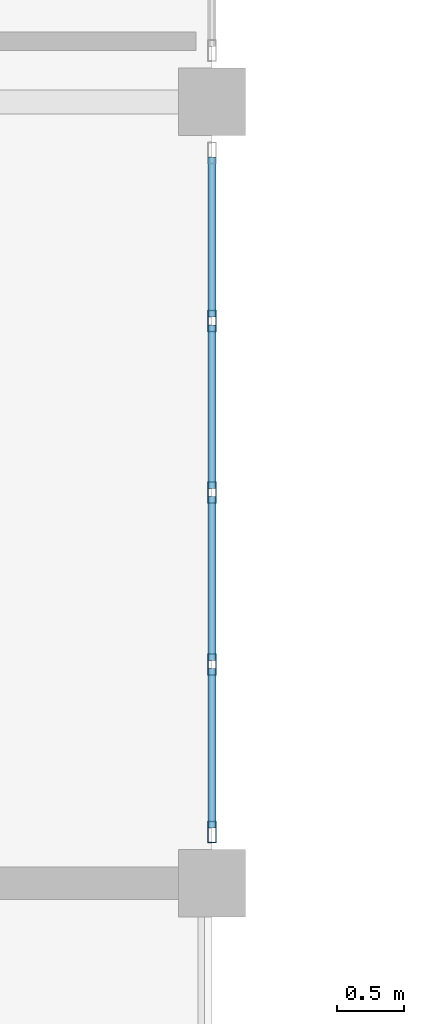
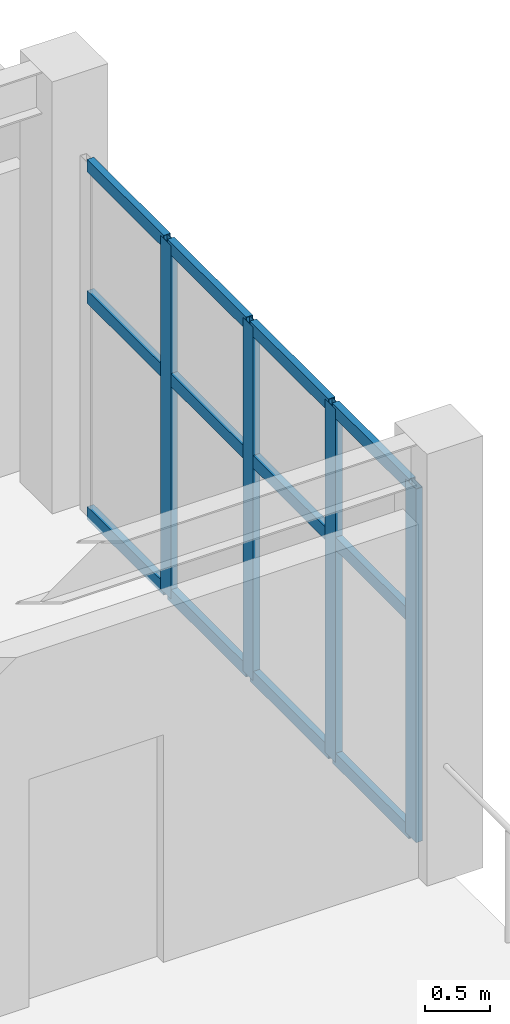
# One storey, part 24 of 128: 16 members, 1 element without a shape of its own.
"""IFC4 building model written with IfcOpenShell, lengths in metres."""

from ifc_helpers import new_model, si_unit, direction, frame, origin, origin_2d, place, context, subcontext, project, spatial, hollow_rectangle, extrude, material, material_profile, profile_set, type_object, element, aggregate, save


model = new_model("IFC4")

# Units and contexts
model_context = context("Model", 3, precision=1e-05, world=origin(), true_north=direction((0.0, 1.0)))
body_context = subcontext(model_context, "Body", "Model", "MODEL_VIEW")
ifc_project = project(units=[si_unit("LENGTHUNIT", "METRE"), si_unit("AREAUNIT", "SQUARE_METRE"), si_unit("VOLUMEUNIT", "CUBIC_METRE"), si_unit("PLANEANGLEUNIT", "RADIAN"), si_unit("MASSUNIT", "GRAM", prefix="KILO")], contexts=[model_context])

# Site, building, storey
site_placement = place(None, origin())
site = spatial("IfcSite", under=ifc_project, at=site_placement, CompositionType="ELEMENT")
building_placement = place(site_placement, origin())
building = spatial("IfcBuilding", under=site, at=building_placement, Name="Tanwirah Colonnade Gardens", CompositionType="ELEMENT")
storey_placement = place(building_placement, frame((0.0, 0.0, 4.760009765625)))
storey = spatial("IfcBuildingStorey", under=building, at=storey_placement, Name="L01", CompositionType="ELEMENT", Elevation=4.760009765625)

# Curtain wall, members
ifc_material_1 = material(Name="Bronze-anodised aluminium and solar-control low-E glass", Category="aluminium")
curtain_wall_type = type_object("IfcCurtainWallType", Name="CW-SHP", PredefinedType="NOTDEFINED", material=ifc_material_1)
curtain_wall_placement = place(storey_placement, origin())
curtain_wall = element("IfcCurtainWall", 1, at=curtain_wall_placement, inside=storey, type_object=curtain_wall_type, Name="Curtain Wall CW-SHP-E-L01-E-1", PredefinedType="NOTDEFINED")
ifc_material_2 = material(Name="Bronze-anodised aluminium", Category="aluminium")
ifc_material_profile_1 = material_profile(ifc_material_2, hollow_rectangle(XDim=0.06005859375, YDim=0.159912109375, WallThickness=0.00390625, at=origin_2d()), Name="CW-MUL 60x160x4")
ifc_profile_set_1 = profile_set([ifc_material_profile_1], Name="Bronze-anodised aluminium")
member_type_1 = type_object("IfcMemberType", Name="CWM-60x160", PredefinedType="MULLION", material=ifc_profile_set_1)
member_1_placement = place(storey_placement, frame((120.0, 16.97998046875, 0.0), z_axis=(0.0, 0.0, 1.0), x_axis=(-1.0, 0.0, 0.0)))
member_1 = element("IfcMember", 2, at=member_1_placement, type_object=member_type_1, Name="CW-SHP mullion 1", PredefinedType="MULLION", context=body_context, shape_type="SweptSolid", body=[
    extrude(hollow_rectangle(XDim=0.06005859375, YDim=0.159912109375, WallThickness=0.00390625, at=origin_2d()), origin(), (0.0, 0.0, 1.0), 3.340087890625),
])
member_2_placement = place(storey_placement, frame((120.0, 18.22509765625, 0.0), z_axis=(0.0, 0.0, 1.0), x_axis=(-1.0, 0.0, 0.0)))
member_2 = element("IfcMember", 3, at=member_2_placement, type_object=member_type_1, Name="CW-SHP mullion 2", PredefinedType="MULLION", context=body_context, shape_type="SweptSolid", body=[
    extrude(hollow_rectangle(XDim=0.06005859375, YDim=0.159912109375, WallThickness=0.00390625, at=origin_2d()), origin(), (0.0, 0.0, 1.0), 3.340087890625),
])
member_3_placement = place(storey_placement, frame((120.0, 19.5, 0.0), z_axis=(0.0, 0.0, 1.0), x_axis=(-1.0, 0.0, 0.0)))
member_3 = element("IfcMember", 4, at=member_3_placement, type_object=member_type_1, Name="CW-SHP mullion 3", PredefinedType="MULLION", context=body_context, shape_type="SweptSolid", body=[
    extrude(hollow_rectangle(XDim=0.06005859375, YDim=0.159912109375, WallThickness=0.00390625, at=origin_2d()), origin(), (0.0, 0.0, 1.0), 3.340087890625),
])
member_4_placement = place(storey_placement, frame((120.0, 20.77490234375, 0.0), z_axis=(0.0, 0.0, 1.0), x_axis=(-1.0, 0.0, 0.0)))
member_4 = element("IfcMember", 5, at=member_4_placement, type_object=member_type_1, Name="CW-SHP mullion 4", PredefinedType="MULLION", context=body_context, shape_type="SweptSolid", body=[
    extrude(hollow_rectangle(XDim=0.06005859375, YDim=0.159912109375, WallThickness=0.00390625, at=origin_2d()), origin(), (0.0, 0.0, 1.0), 3.340087890625),
])
ifc_material_profile_2 = material_profile(ifc_material_2, hollow_rectangle(XDim=0.06005859375, YDim=0.1201171875, WallThickness=0.00390625, at=origin_2d()), Name="CW-TRN 60x120x4")
ifc_profile_set_2 = profile_set([ifc_material_profile_2], Name="Bronze-anodised aluminium")
member_type_2 = type_object("IfcMemberType", Name="CWT-60x120", PredefinedType="USERDEFINED", material=ifc_profile_set_2)
member_5_placement = place(storey_placement, frame((120.0, 17.010009765625, 0.030029296875), z_axis=(0.0, 1.0, 0.0), x_axis=(-1.0, 0.0, 0.0)))
member_5 = element("IfcMember", 6, at=member_5_placement, type_object=member_type_2, Name="CW-SHP transom 1.1", ObjectType="TRANSOM", PredefinedType="USERDEFINED", context=body_context, shape_type="SweptSolid", body=[
    extrude(hollow_rectangle(XDim=0.06005859375, YDim=0.1201171875, WallThickness=0.00390625, at=origin_2d()), origin(), (0.0, 0.0, 1.0), 1.18505859375),
])
member_6_placement = place(storey_placement, frame((120.0, 17.010009765625, 2.07080078125), z_axis=(0.0, 1.0, 0.0), x_axis=(-1.0, 0.0, 0.0)))
member_6 = element("IfcMember", 7, at=member_6_placement, type_object=member_type_2, Name="CW-SHP transom 1.2", ObjectType="TRANSOM", PredefinedType="USERDEFINED", context=body_context, shape_type="SweptSolid", body=[
    extrude(hollow_rectangle(XDim=0.06005859375, YDim=0.1201171875, WallThickness=0.00390625, at=origin_2d()), origin(), (0.0, 0.0, 1.0), 1.18505859375),
])
member_7_placement = place(storey_placement, frame((120.0, 17.010009765625, 3.31005859375), z_axis=(0.0, 1.0, 0.0), x_axis=(-1.0, 0.0, 0.0)))
member_7 = element("IfcMember", 8, at=member_7_placement, type_object=member_type_2, Name="CW-SHP transom 1.3", ObjectType="TRANSOM", PredefinedType="USERDEFINED", context=body_context, shape_type="SweptSolid", body=[
    extrude(hollow_rectangle(XDim=0.06005859375, YDim=0.1201171875, WallThickness=0.00390625, at=origin_2d()), origin(), (0.0, 0.0, 1.0), 1.18505859375),
])
member_8_placement = place(storey_placement, frame((120.0, 18.2548828125, 0.030029296875), z_axis=(0.0, 1.0, 0.0), x_axis=(-1.0, 0.0, 0.0)))
member_8 = element("IfcMember", 9, at=member_8_placement, type_object=member_type_2, Name="CW-SHP transom 2.1", ObjectType="TRANSOM", PredefinedType="USERDEFINED", context=body_context, shape_type="SweptSolid", body=[
    extrude(hollow_rectangle(XDim=0.06005859375, YDim=0.1201171875, WallThickness=0.00390625, at=origin_2d()), origin(), (0.0, 0.0, 1.0), 1.215087890625),
])
member_9_placement = place(storey_placement, frame((120.0, 18.2548828125, 2.07080078125), z_axis=(0.0, 1.0, 0.0), x_axis=(-1.0, 0.0, 0.0)))
member_9 = element("IfcMember", 10, at=member_9_placement, type_object=member_type_2, Name="CW-SHP transom 2.2", ObjectType="TRANSOM", PredefinedType="USERDEFINED", context=body_context, shape_type="SweptSolid", body=[
    extrude(hollow_rectangle(XDim=0.06005859375, YDim=0.1201171875, WallThickness=0.00390625, at=origin_2d()), origin(), (0.0, 0.0, 1.0), 1.215087890625),
])
member_10_placement = place(storey_placement, frame((120.0, 18.2548828125, 3.31005859375), z_axis=(0.0, 1.0, 0.0), x_axis=(-1.0, 0.0, 0.0)))
member_10 = element("IfcMember", 11, at=member_10_placement, type_object=member_type_2, Name="CW-SHP transom 2.3", ObjectType="TRANSOM", PredefinedType="USERDEFINED", context=body_context, shape_type="SweptSolid", body=[
    extrude(hollow_rectangle(XDim=0.06005859375, YDim=0.1201171875, WallThickness=0.00390625, at=origin_2d()), origin(), (0.0, 0.0, 1.0), 1.215087890625),
])
member_11_placement = place(storey_placement, frame((120.0, 19.530029296875, 0.030029296875), z_axis=(0.0, 1.0, 0.0), x_axis=(-1.0, 0.0, 0.0)))
member_11 = element("IfcMember", 12, at=member_11_placement, type_object=member_type_2, Name="CW-SHP transom 3.1", ObjectType="TRANSOM", PredefinedType="USERDEFINED", context=body_context, shape_type="SweptSolid", body=[
    extrude(hollow_rectangle(XDim=0.06005859375, YDim=0.1201171875, WallThickness=0.00390625, at=origin_2d()), origin(), (0.0, 0.0, 1.0), 1.215087890625),
])
member_12_placement = place(storey_placement, frame((120.0, 19.530029296875, 2.07080078125), z_axis=(0.0, 1.0, 0.0), x_axis=(-1.0, 0.0, 0.0)))
member_12 = element("IfcMember", 13, at=member_12_placement, type_object=member_type_2, Name="CW-SHP transom 3.2", ObjectType="TRANSOM", PredefinedType="USERDEFINED", context=body_context, shape_type="SweptSolid", body=[
    extrude(hollow_rectangle(XDim=0.06005859375, YDim=0.1201171875, WallThickness=0.00390625, at=origin_2d()), origin(), (0.0, 0.0, 1.0), 1.215087890625),
])
member_13_placement = place(storey_placement, frame((120.0, 19.530029296875, 3.31005859375), z_axis=(0.0, 1.0, 0.0), x_axis=(-1.0, 0.0, 0.0)))
member_13 = element("IfcMember", 14, at=member_13_placement, type_object=member_type_2, Name="CW-SHP transom 3.3", ObjectType="TRANSOM", PredefinedType="USERDEFINED", context=body_context, shape_type="SweptSolid", body=[
    extrude(hollow_rectangle(XDim=0.06005859375, YDim=0.1201171875, WallThickness=0.00390625, at=origin_2d()), origin(), (0.0, 0.0, 1.0), 1.215087890625),
])
member_14_placement = place(storey_placement, frame((120.0, 20.804931640625, 0.030029296875), z_axis=(0.0, 1.0, 0.0), x_axis=(-1.0, 0.0, 0.0)))
member_14 = element("IfcMember", 15, at=member_14_placement, type_object=member_type_2, Name="CW-SHP transom 4.1", ObjectType="TRANSOM", PredefinedType="USERDEFINED", context=body_context, shape_type="SweptSolid", body=[
    extrude(hollow_rectangle(XDim=0.06005859375, YDim=0.1201171875, WallThickness=0.00390625, at=origin_2d()), origin(), (0.0, 0.0, 1.0), 1.18505859375),
])
member_15_placement = place(storey_placement, frame((120.0, 20.804931640625, 2.07080078125), z_axis=(0.0, 1.0, 0.0), x_axis=(-1.0, 0.0, 0.0)))
member_15 = element("IfcMember", 16, at=member_15_placement, type_object=member_type_2, Name="CW-SHP transom 4.2", ObjectType="TRANSOM", PredefinedType="USERDEFINED", context=body_context, shape_type="SweptSolid", body=[
    extrude(hollow_rectangle(XDim=0.06005859375, YDim=0.1201171875, WallThickness=0.00390625, at=origin_2d()), origin(), (0.0, 0.0, 1.0), 1.18505859375),
])
member_16_placement = place(storey_placement, frame((120.0, 20.804931640625, 3.31005859375), z_axis=(0.0, 1.0, 0.0), x_axis=(-1.0, 0.0, 0.0)))
member_16 = element("IfcMember", 17, at=member_16_placement, type_object=member_type_2, Name="CW-SHP transom 4.3", ObjectType="TRANSOM", PredefinedType="USERDEFINED", context=body_context, shape_type="SweptSolid", body=[
    extrude(hollow_rectangle(XDim=0.06005859375, YDim=0.1201171875, WallThickness=0.00390625, at=origin_2d()), origin(), (0.0, 0.0, 1.0), 1.18505859375),
])
aggregate(curtain_wall, [member_1, member_2, member_3, member_4, member_5, member_6, member_7, member_8, member_9, member_10, member_11, member_12, member_13, member_14, member_15, member_16])

save(model, "model.ifc")
